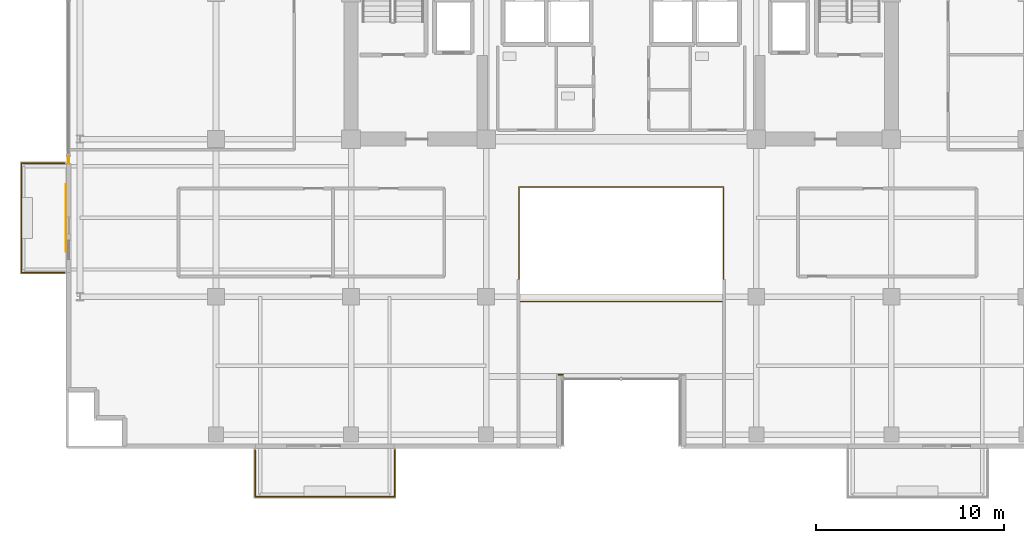
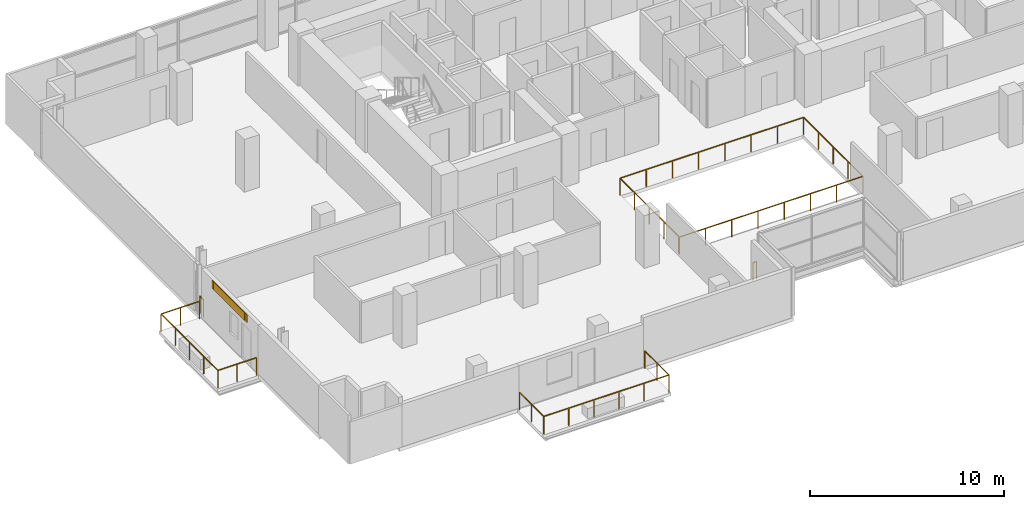
# One storey, part 24 of 27: 5 railings, 1 covering, 1 shading device.
"""IFC4 building model written with IfcOpenShell, lengths in metres."""

from ifc_helpers import new_model, si_unit, direction, frame, origin, origin_2d, place, context, subcontext, project, spatial, rectangle, extrude, source, transform, mapped, material, layer, layer_set, type_object, element, save


model = new_model("IFC4")

# Units and contexts
model_context = context("Model", 3, precision=1e-05, world=origin(), true_north=direction((0.0, 1.0)))
body_context = subcontext(model_context, "Body", "Model", "MODEL_VIEW")
ifc_project = project(units=[si_unit("LENGTHUNIT", "METRE"), si_unit("AREAUNIT", "SQUARE_METRE"), si_unit("VOLUMEUNIT", "CUBIC_METRE"), si_unit("PLANEANGLEUNIT", "RADIAN"), si_unit("MASSUNIT", "GRAM", prefix="KILO")], contexts=[model_context])

# Site, building, storey
site_placement = place(None, origin())
site = spatial("IfcSite", under=ifc_project, at=site_placement, CompositionType="ELEMENT")
building_placement = place(site_placement, origin())
building = spatial("IfcBuilding", under=site, at=building_placement, Name="Zarnakvel Exchange Tower", CompositionType="ELEMENT")
storey_placement = place(building_placement, frame((0.0, 0.0, 96.699951171875)))
storey = spatial("IfcBuildingStorey", under=building, at=storey_placement, Name="L26", CompositionType="ELEMENT", Elevation=96.699951171875)

# Railings
ifc_material_1 = material(Name="Architectural Bronze Anodised Aluminium", Category="aluminium")
railing_type_1 = type_object("IfcRailingType", Name="GR-02", PredefinedType="GUARDRAIL", material=ifc_material_1)
railing_1_placement = place(storey_placement, frame((-19.52001953125, -17.780029296875, -0.034912109375)))
element("IfcRailing", 1, at=railing_1_placement, inside=storey, type_object=railing_type_1, Name="L26 Balcony Guardrail BAL-L26-SW", PredefinedType="GUARDRAIL", context=body_context, shape_type="SweptSolid", body=[
    extrude(rectangle(XDim=0.048095703125, YDim=0.048095703125, at=origin_2d()), frame((0.0, 0.0, 1.09619140625), z_axis=(0.0, -1.0, 0.0), x_axis=(1.0, 0.0, 0.0)), (0.0, 0.0, 1.0), 2.489990234375),
    extrude(rectangle(XDim=0.048095703125, YDim=0.048095703125, at=origin_2d()), frame((0.0, -2.489990234375, 1.09619140625), z_axis=(1.0, 0.0, 0.0), x_axis=(0.0, 1.0, 0.0)), (0.0, 0.0, 1.0), 7.43994140625),
    extrude(rectangle(XDim=0.048095703125, YDim=0.048095703125, at=origin_2d()), frame((7.43994140625, -2.489990234375, 1.09619140625), z_axis=(0.0, 1.0, 0.0), x_axis=(-1.0, 0.0, 0.0)), (0.0, 0.0, 1.0), 2.489990234375),
    extrude(rectangle(XDim=0.0419921875, YDim=0.0419921875, at=origin_2d()), origin(), (0.0, 0.0, 1.0), 1.072021484375),
    extrude(rectangle(XDim=0.0419921875, YDim=0.0419921875, at=origin_2d()), frame((0.0, -1.2451171875, 0.0)), (0.0, 0.0, 1.0), 1.072021484375),
    extrude(rectangle(XDim=0.0419921875, YDim=0.0419921875, at=origin_2d()), frame((0.0, -2.489990234375, 0.0)), (0.0, 0.0, 1.0), 1.072021484375),
    extrude(rectangle(XDim=0.0419921875, YDim=0.0419921875, at=origin_2d()), frame((1.488037109375, -2.489990234375, 0.0)), (0.0, 0.0, 1.0), 1.072021484375),
    extrude(rectangle(XDim=0.0419921875, YDim=0.0419921875, at=origin_2d()), frame((2.97607421875, -2.489990234375, 0.0)), (0.0, 0.0, 1.0), 1.072021484375),
    extrude(rectangle(XDim=0.0419921875, YDim=0.0419921875, at=origin_2d()), frame((4.4638671875, -2.489990234375, 0.0)), (0.0, 0.0, 1.0), 1.072021484375),
    extrude(rectangle(XDim=0.0419921875, YDim=0.0419921875, at=origin_2d()), frame((5.951904296875, -2.489990234375, 0.0)), (0.0, 0.0, 1.0), 1.072021484375),
    extrude(rectangle(XDim=0.0419921875, YDim=0.0419921875, at=origin_2d()), frame((7.43994140625, -2.489990234375, 0.0)), (0.0, 0.0, 1.0), 1.072021484375),
    extrude(rectangle(XDim=0.0419921875, YDim=0.0419921875, at=origin_2d()), frame((7.43994140625, -1.2451171875, 0.0)), (0.0, 0.0, 1.0), 1.072021484375),
    extrude(rectangle(XDim=0.0419921875, YDim=0.0419921875, at=origin_2d()), frame((7.43994140625, 0.0, 0.0)), (0.0, 0.0, 1.0), 1.072021484375),
])
railing_2_placement = place(storey_placement, frame((-29.679931640625, -8.320068359375, -0.034912109375)))
element("IfcRailing", 2, at=railing_2_placement, inside=storey, type_object=railing_type_1, Name="L26 Balcony Guardrail BAL-L26-W", PredefinedType="GUARDRAIL", context=body_context, shape_type="SweptSolid", body=[
    extrude(rectangle(XDim=0.048095703125, YDim=0.048095703125, at=origin_2d()), frame((0.0, 0.0, 1.09619140625), z_axis=(-1.0, 0.0, 0.0), x_axis=(0.0, -1.0, 0.0)), (0.0, 0.0, 1.0), 2.2900390625),
    extrude(rectangle(XDim=0.048095703125, YDim=0.048095703125, at=origin_2d()), frame((-2.2900390625, 0.0, 1.09619140625), z_axis=(0.0, 1.0, 0.0), x_axis=(-1.0, 0.0, 0.0)), (0.0, 0.0, 1.0), 5.840087890625),
    extrude(rectangle(XDim=0.048095703125, YDim=0.048095703125, at=origin_2d()), frame((-2.2900390625, 5.840087890625, 1.09619140625), z_axis=(1.0, 0.0, 0.0), x_axis=(0.0, 1.0, 0.0)), (0.0, 0.0, 1.0), 2.2900390625),
    extrude(rectangle(XDim=0.0419921875, YDim=0.0419921875, at=origin_2d()), origin(), (0.0, 0.0, 1.0), 1.072021484375),
    extrude(rectangle(XDim=0.0419921875, YDim=0.0419921875, at=origin_2d()), frame((-1.14501953125, 0.0, 0.0)), (0.0, 0.0, 1.0), 1.072021484375),
    extrude(rectangle(XDim=0.0419921875, YDim=0.0419921875, at=origin_2d()), frame((-2.2900390625, 0.0, 0.0)), (0.0, 0.0, 1.0), 1.072021484375),
    extrude(rectangle(XDim=0.0419921875, YDim=0.0419921875, at=origin_2d()), frame((-2.2900390625, 1.4599609375, 0.0)), (0.0, 0.0, 1.0), 1.072021484375),
    extrude(rectangle(XDim=0.0419921875, YDim=0.0419921875, at=origin_2d()), frame((-2.2900390625, 2.919921875, 0.0)), (0.0, 0.0, 1.0), 1.072021484375),
    extrude(rectangle(XDim=0.0419921875, YDim=0.0419921875, at=origin_2d()), frame((-2.2900390625, 4.380126953125, 0.0)), (0.0, 0.0, 1.0), 1.072021484375),
    extrude(rectangle(XDim=0.0419921875, YDim=0.0419921875, at=origin_2d()), frame((-2.2900390625, 5.840087890625, 0.0)), (0.0, 0.0, 1.0), 1.072021484375),
    extrude(rectangle(XDim=0.0419921875, YDim=0.0419921875, at=origin_2d()), frame((-1.14501953125, 5.840087890625, 0.0)), (0.0, 0.0, 1.0), 1.072021484375),
    extrude(rectangle(XDim=0.0419921875, YDim=0.0419921875, at=origin_2d()), frame((0.0, 5.840087890625, 0.0)), (0.0, 0.0, 1.0), 1.072021484375),
])
railing_3_placement = place(storey_placement, frame((-29.4599609375, -2.5, 0.0)))
element("IfcRailing", 3, at=railing_3_placement, inside=storey, type_object=railing_type_1, Name="L26 Corner Spandrel Balustrade #2", PredefinedType="GUARDRAIL", context=body_context, shape_type="SweptSolid", body=[
    extrude(rectangle(XDim=0.048095703125, YDim=0.048095703125, at=origin_2d()), frame((0.0, 0.0, 1.09619140625), z_axis=(0.0, 1.0, 0.0), x_axis=(-1.0, 0.0, 0.0)), (0.0, 0.0, 1.0), 0.39990234375),
    extrude(rectangle(XDim=0.0419921875, YDim=0.0419921875, at=origin_2d()), origin(), (0.0, 0.0, 1.0), 1.072021484375),
    extrude(rectangle(XDim=0.0419921875, YDim=0.0419921875, at=origin_2d()), frame((0.0, 0.39990234375, 0.0)), (0.0, 0.0, 1.0), 1.072021484375),
])
railing_4_placement = place(storey_placement, frame((-3.1201171875, -13.760009765625, 0.0)))
element("IfcRailing", 4, at=railing_4_placement, inside=storey, type_object=railing_type_1, Name="L26 Corner Spandrel Balustrade #19", PredefinedType="GUARDRAIL", context=body_context, shape_type="SweptSolid", body=[
    extrude(rectangle(XDim=0.048095703125, YDim=0.048095703125, at=origin_2d()), frame((0.0, 0.0, 1.09619140625), z_axis=(-1.0, 0.0, 0.0), x_axis=(0.0, -1.0, 0.0)), (0.0, 0.0, 1.0), 0.219970703125),
    extrude(rectangle(XDim=0.0419921875, YDim=0.0419921875, at=origin_2d()), origin(), (0.0, 0.0, 1.0), 1.072021484375),
    extrude(rectangle(XDim=0.0419921875, YDim=0.0419921875, at=origin_2d()), frame((-0.219970703125, 0.0, 0.0)), (0.0, 0.0, 1.0), 1.072021484375),
])
railing_type_2 = type_object("IfcRailingType", Name="GR-03", PredefinedType="GUARDRAIL", material=ifc_material_1)
railing_5_placement = place(storey_placement, frame((-5.449951171875, -9.85009765625, 0.0)))
element("IfcRailing", 5, at=railing_5_placement, inside=storey, type_object=railing_type_2, Name="L26 Atrium Void Perimeter Balustrade", PredefinedType="GUARDRAIL", context=body_context, shape_type="SweptSolid", body=[
    extrude(rectangle(XDim=0.048095703125, YDim=0.048095703125, at=origin_2d()), frame((0.0, 0.0, 1.076171875), z_axis=(1.0, 0.0, 0.0), x_axis=(0.0, 1.0, 0.0)), (0.0, 0.0, 1.0), 10.89990234375),
    extrude(rectangle(XDim=0.048095703125, YDim=0.048095703125, at=origin_2d()), frame((10.89990234375, 0.0, 1.076171875), z_axis=(0.0, 1.0, 0.0), x_axis=(-1.0, 0.0, 0.0)), (0.0, 0.0, 1.0), 6.10009765625),
    extrude(rectangle(XDim=0.048095703125, YDim=0.048095703125, at=origin_2d()), frame((10.89990234375, 6.10009765625, 1.076171875), z_axis=(-1.0, 0.0, 0.0), x_axis=(0.0, -1.0, 0.0)), (0.0, 0.0, 1.0), 10.89990234375),
    extrude(rectangle(XDim=0.048095703125, YDim=0.048095703125, at=origin_2d()), frame((0.0, 6.10009765625, 1.076171875), z_axis=(0.0, -1.0, 0.0), x_axis=(1.0, 0.0, 0.0)), (0.0, 0.0, 1.0), 6.02001953125),
    extrude(rectangle(XDim=0.0419921875, YDim=0.0419921875, at=origin_2d()), origin(), (0.0, 0.0, 1.0), 1.052001953125),
    extrude(rectangle(XDim=0.0419921875, YDim=0.0419921875, at=origin_2d()), frame((1.55712890625, 0.0, 0.0)), (0.0, 0.0, 1.0), 1.052001953125),
    extrude(rectangle(XDim=0.0419921875, YDim=0.0419921875, at=origin_2d()), frame((3.1142578125, 0.0, 0.0)), (0.0, 0.0, 1.0), 1.052001953125),
    extrude(rectangle(XDim=0.0419921875, YDim=0.0419921875, at=origin_2d()), frame((4.67138671875, 0.0, 0.0)), (0.0, 0.0, 1.0), 1.052001953125),
    extrude(rectangle(XDim=0.0419921875, YDim=0.0419921875, at=origin_2d()), frame((6.228515625, 0.0, 0.0)), (0.0, 0.0, 1.0), 1.052001953125),
    extrude(rectangle(XDim=0.0419921875, YDim=0.0419921875, at=origin_2d()), frame((7.78564453125, 0.0, 0.0)), (0.0, 0.0, 1.0), 1.052001953125),
    extrude(rectangle(XDim=0.0419921875, YDim=0.0419921875, at=origin_2d()), frame((9.3427734375, 0.0, 0.0)), (0.0, 0.0, 1.0), 1.052001953125),
    extrude(rectangle(XDim=0.0419921875, YDim=0.0419921875, at=origin_2d()), frame((10.89990234375, 0.0, 0.0)), (0.0, 0.0, 1.0), 1.052001953125),
    extrude(rectangle(XDim=0.0419921875, YDim=0.0419921875, at=origin_2d()), frame((10.89990234375, 1.52490234375, 0.0)), (0.0, 0.0, 1.0), 1.052001953125),
    extrude(rectangle(XDim=0.0419921875, YDim=0.0419921875, at=origin_2d()), frame((10.89990234375, 3.050048828125, 0.0)), (0.0, 0.0, 1.0), 1.052001953125),
    extrude(rectangle(XDim=0.0419921875, YDim=0.0419921875, at=origin_2d()), frame((10.89990234375, 4.5751953125, 0.0)), (0.0, 0.0, 1.0), 1.052001953125),
    extrude(rectangle(XDim=0.0419921875, YDim=0.0419921875, at=origin_2d()), frame((10.89990234375, 6.10009765625, 0.0)), (0.0, 0.0, 1.0), 1.052001953125),
    extrude(rectangle(XDim=0.0419921875, YDim=0.0419921875, at=origin_2d()), frame((9.3427734375, 6.10009765625, 0.0)), (0.0, 0.0, 1.0), 1.052001953125),
    extrude(rectangle(XDim=0.0419921875, YDim=0.0419921875, at=origin_2d()), frame((7.78564453125, 6.10009765625, 0.0)), (0.0, 0.0, 1.0), 1.052001953125),
    extrude(rectangle(XDim=0.0419921875, YDim=0.0419921875, at=origin_2d()), frame((6.228515625, 6.10009765625, 0.0)), (0.0, 0.0, 1.0), 1.052001953125),
    extrude(rectangle(XDim=0.0419921875, YDim=0.0419921875, at=origin_2d()), frame((4.67138671875, 6.10009765625, 0.0)), (0.0, 0.0, 1.0), 1.052001953125),
    extrude(rectangle(XDim=0.0419921875, YDim=0.0419921875, at=origin_2d()), frame((3.1142578125, 6.10009765625, 0.0)), (0.0, 0.0, 1.0), 1.052001953125),
    extrude(rectangle(XDim=0.0419921875, YDim=0.0419921875, at=origin_2d()), frame((1.55712890625, 6.10009765625, 0.0)), (0.0, 0.0, 1.0), 1.052001953125),
    extrude(rectangle(XDim=0.0419921875, YDim=0.0419921875, at=origin_2d()), frame((0.0, 6.10009765625, 0.0)), (0.0, 0.0, 1.0), 1.052001953125),
    extrude(rectangle(XDim=0.0419921875, YDim=0.0419921875, at=origin_2d()), frame((0.0, 4.59521484375, 0.0)), (0.0, 0.0, 1.0), 1.052001953125),
    extrude(rectangle(XDim=0.0419921875, YDim=0.0419921875, at=origin_2d()), frame((0.0, 3.090087890625, 0.0)), (0.0, 0.0, 1.0), 1.052001953125),
    extrude(rectangle(XDim=0.0419921875, YDim=0.0419921875, at=origin_2d()), frame((0.0, 1.5849609375, 0.0)), (0.0, 0.0, 1.0), 1.052001953125),
    extrude(rectangle(XDim=0.0419921875, YDim=0.0419921875, at=origin_2d()), frame((0.0, 0.080078125, 0.0)), (0.0, 0.0, 1.0), 1.052001953125),
])

# Covering
ifc_material_2 = material(Name="Warm Sandstone Terracotta Spandrel Tile", Category="masonry")
ifc_layer_1 = layer(ifc_material_2, 0.031982421875)
ifc_layer_set_1 = layer_set([ifc_layer_1], Name="Warm Sandstone Terracotta Spandrel Tile")
covering_type = type_object("IfcCoveringType", Name="CL-02", PredefinedType="CLADDING", material=ifc_layer_set_1)
shared_shape_1 = source(origin(), body_context, "Body", "SweptSolid", [
    extrude(rectangle(XDim=3.60009765625, YDim=0.031982421875, at=origin_2d()), origin(), (0.0, 0.0, 1.0), 0.4951171875),
])
covering_placement = place(storey_placement, frame((-29.593994140625, -5.39990234375, 2.56005859375), z_axis=(0.0, 0.0, 1.0), x_axis=(0.0, 1.0, 0.0)))
element("IfcCovering", 6, at=covering_placement, inside=storey, type_object=covering_type, Name="L26 Ceramic Spandrel Tilework CL-02", PredefinedType="CLADDING", context=body_context, shape_type="MappedRepresentation", body=[
    mapped(shared_shape_1, transform((0.0, 0.0, 0.0), x_axis=(1.0, 0.0, 0.0), y_axis=(0.0, 1.0, 0.0), z_axis=(0.0, 0.0, 1.0), scale=1.0)),
])

# Shading device
ifc_material_3 = material(Name="Perforated Architectural Bronze Screen", Category="aluminium")
ifc_layer_2 = layer(ifc_material_3, 0.044921875)
ifc_layer_set_2 = layer_set([ifc_layer_2], Name="Perforated Architectural Bronze Screen")
shading_device_type = type_object("IfcShadingDeviceType", Name="SS-01", PredefinedType="JALOUSIE", material=ifc_layer_set_2)
shared_shape_2 = source(origin(), body_context, "Body", "SweptSolid", [
    extrude(rectangle(XDim=3.199951171875, YDim=0.044921875, at=origin_2d()), origin(), (0.0, 0.0, 1.0), 0.4951171875),
])
shading_device_placement = place(storey_placement, frame((-29.6005859375, -5.39990234375, 2.56005859375), z_axis=(0.0, 0.0, 1.0), x_axis=(0.0, 1.0, 0.0)))
element("IfcShadingDevice", 7, at=shading_device_placement, inside=storey, type_object=shading_device_type, Name="L26 Bronze Solar Shading Screen SS-01", PredefinedType="JALOUSIE", context=body_context, shape_type="MappedRepresentation", body=[
    mapped(shared_shape_2, transform((0.0, 0.0, 0.0), x_axis=(1.0, 0.0, 0.0), y_axis=(0.0, 1.0, 0.0), z_axis=(0.0, 0.0, 1.0), scale=1.0)),
])

save(model, "model.ifc")
